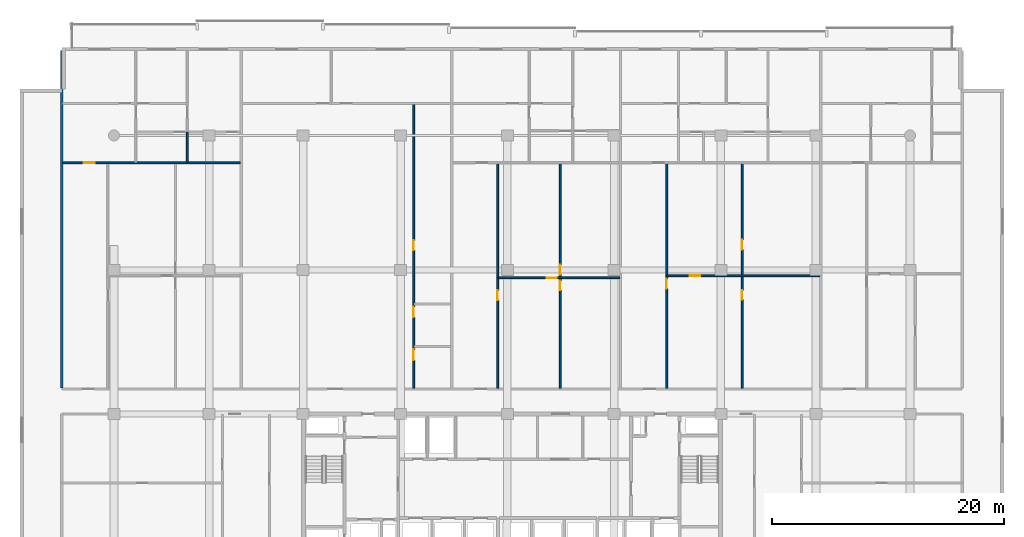
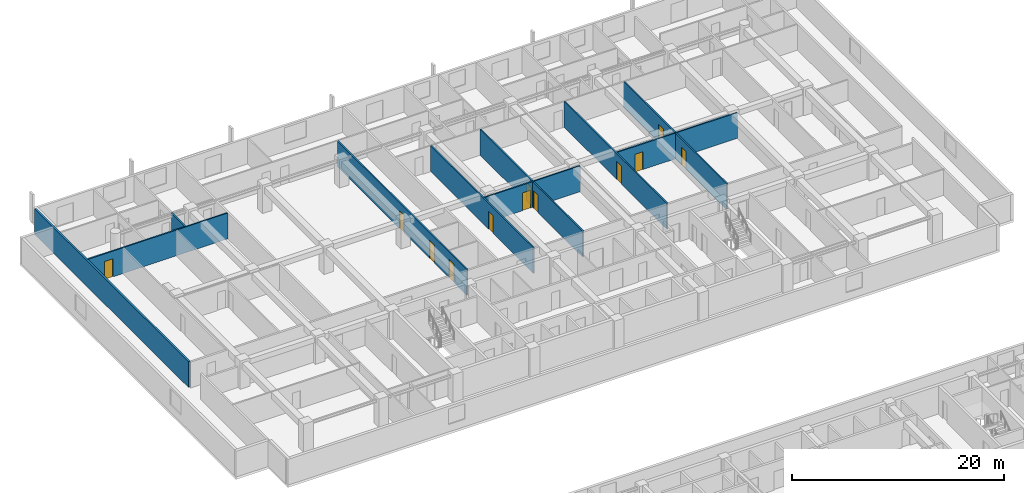
# One storey, part 13 of 23: 12 doors, 10 walls, 12 openings.
"""IFC4 building model written with IfcOpenShell, lengths in metres."""

from ifc_helpers import new_model, si_unit, direction, frame, frame_2d, origin, place, context, subcontext, project, spatial, rectangle, extrude, material, layer, layer_set, type_object, element, fill, save


model = new_model("IFC4")

# Units and contexts
model_context = context("Model", 3, precision=1e-05, world=origin(), true_north=direction((0.0, 1.0)))
body_context = subcontext(model_context, "Body", "Model", "MODEL_VIEW")
ifc_project = project(units=[si_unit("LENGTHUNIT", "METRE"), si_unit("AREAUNIT", "SQUARE_METRE"), si_unit("VOLUMEUNIT", "CUBIC_METRE"), si_unit("PLANEANGLEUNIT", "RADIAN"), si_unit("MASSUNIT", "GRAM", prefix="KILO")], contexts=[model_context])

# Site, building, storey
site_placement = place(None, origin())
site = spatial("IfcSite", under=ifc_project, at=site_placement, CompositionType="ELEMENT")
building_placement = place(site_placement, origin())
building = spatial("IfcBuilding", under=site, at=building_placement, Name="Korimba Cascade Residences", CompositionType="ELEMENT")
storey_placement = place(building_placement, frame((0.0, 0.0, 46.75)))
storey = spatial("IfcBuildingStorey", under=building, at=storey_placement, Name="L12", CompositionType="ELEMENT", Elevation=46.75)

# Walls
ifc_material_1 = material(Name="Precast concrete C40/50", Category="concrete")
ifc_layer_1 = layer(ifc_material_1, 0.199951171875)
ifc_layer_set_1 = layer_set([ifc_layer_1], Name="Precast concrete C40/50")
wall_type_1 = type_object("IfcWallType", Name="WAL-IT-200", PredefinedType="PARTITIONING", material=ifc_layer_set_1)
wall_1_placement = place(storey_placement, frame((55.300048828125, 69.429931640625, 0.0), z_axis=(0.0, 0.0, 1.0), x_axis=(0.0, 1.0, 0.0)))
element("IfcWall", 1, at=wall_1_placement, inside=storey, type_object=wall_type_1, Name="L12 Partition Wall WAL-L12-T1-BNDWL", PredefinedType="PARTITIONING", context=body_context, shape_type="SweptSolid", body=[
    extrude(rectangle(XDim=29.070068359375, YDim=0.199951171875, at=frame_2d((14.53515625, 0.0))), origin(), (0.0, 0.0, 1.0), 2.969970703125),
])
ifc_material_2 = material(Name="Insulated Acoustic Stud Partition", Category="gypsum")
ifc_layer_2 = layer(ifc_material_2, 0.14990234375)
ifc_layer_set_2 = layer_set([ifc_layer_2], Name="Insulated Acoustic Stud Partition")
wall_type_2 = type_object("IfcWallType", Name="WAL-PART-150", PredefinedType="PARTITIONING", material=ifc_layer_set_2)
wall_2_placement = place(storey_placement, frame((66.1201171875, 88.889892578125, 0.0), z_axis=(0.0, 0.0, 1.0), x_axis=(0.0, 1.0, 0.0)))
element("IfcWall", 2, at=wall_2_placement, inside=storey, type_object=wall_type_2, Name="L12 Partition Wall WAL-L12-T1-U01-VBATH", PredefinedType="PARTITIONING", context=body_context, shape_type="SweptSolid", body=[
    extrude(rectangle(XDim=2.580078125, YDim=0.14990234375, at=frame_2d((1.2900390625, 0.0))), origin(), (0.0, 0.0, 1.0), 2.969970703125),
])

# Wall, opening, door
wall_3_placement = place(storey_placement, frame((55.3798828125, 88.85009765625, 0.0), z_axis=(0.0, 0.0, 1.0), x_axis=(1.0, 0.0, 0.0)))
wall_3 = element("IfcWall", 3, at=wall_3_placement, inside=storey, type_object=wall_type_2, Name="L12 Partition Wall WAL-L12-T1-U01-MW", PredefinedType="PARTITIONING", context=body_context, shape_type="SweptSolid", body=[
    extrude(rectangle(XDim=15.29541015625, YDim=0.14990234375, at=frame_2d((7.647705078125, 0.0))), origin(), (0.0, 0.0, 1.0), 2.969970703125),
])
opening_1_placement = place(wall_3_placement, frame((1.830810546875, 0.0, 0.0)))
opening_1 = element("IfcOpeningElement", 4, at=opening_1_placement, cuts=wall_3, Name="Opening D-IN1", PredefinedType="OPENING", context=body_context, shape_type="SweptSolid", body=[
    extrude(rectangle(XDim=0.919921875, YDim=2.080078125, at=frame_2d((0.4599609375, 1.0400390625))), frame((0.0, 0.0849609375, 0.0), z_axis=(0.0, -1.0, 0.0), x_axis=(1.0, 0.0, 0.0)), (0.0, 0.0, 1.0), 0.169921875),
])
ifc_material_3 = material(Name="Acoustic Timber Living Door", Category="wood")
door_type_1 = type_object("IfcDoorType", Name="DR-INT-920", OperationType="NOTDEFINED", PredefinedType="DOOR", material=ifc_material_3)
door_1_placement = place(opening_1_placement, origin())
door_1 = element("IfcDoor", 5, at=door_1_placement, inside=storey, type_object=door_type_1, Name="L12-T1-U01 Kitchen Door", OperationType="SINGLE_SWING_RIGHT", OverallHeight=2.080078125, OverallWidth=0.919921875, PredefinedType="DOOR", context=body_context, shape_type="SweptSolid", body=[
    extrude(rectangle(XDim=0.919921875, YDim=2.080078125, at=frame_2d((0.4599609375, 1.0400390625))), frame((0.0, 0.02490234375, 0.0), z_axis=(0.0, -1.0, 0.0), x_axis=(1.0, 0.0, 0.0)), (0.0, 0.0, 1.0), 0.050048828125),
])
fill(opening_1, door_1)

# Wall, openings, doors
wall_4_placement = place(storey_placement, frame((85.624267578125, 69.409912109375, 0.0), z_axis=(0.0, 0.0, 1.0), x_axis=(0.0, 1.0, 0.0)))
wall_4 = element("IfcWall", 6, at=wall_4_placement, inside=storey, type_object=wall_type_2, Name="L12 Partition Wall WAL-L12-T1-U02-WCV", PredefinedType="PARTITIONING", context=body_context, shape_type="SweptSolid", body=[
    extrude(rectangle(XDim=24.47998046875, YDim=0.14990234375, at=frame_2d((12.239990234375, 0.0))), origin(), (0.0, 0.0, 1.0), 2.969970703125),
])
opening_2_placement = place(wall_4_placement, frame((2.406005859375, 0.0, 0.0)))
opening_2 = element("IfcOpeningElement", 7, at=opening_2_placement, cuts=wall_4, Name="Opening D-AC1", PredefinedType="OPENING", context=body_context, shape_type="SweptSolid", body=[
    extrude(rectangle(XDim=0.9599609375, YDim=2.10009765625, at=frame_2d((0.47998046875, 1.050048828125))), frame((0.0, 0.0849609375, 0.0), z_axis=(0.0, -1.0, 0.0), x_axis=(1.0, 0.0, 0.0)), (0.0, 0.0, 1.0), 0.169921875),
])
opening_3_placement = place(wall_4_placement, frame((6.132568359375, 0.0, 0.0)))
opening_3 = element("IfcOpeningElement", 8, at=opening_3_placement, cuts=wall_4, Name="Opening D-IN2", PredefinedType="OPENING", context=body_context, shape_type="SweptSolid", body=[
    extrude(rectangle(XDim=0.8798828125, YDim=2.06005859375, at=frame_2d((0.43994140625, 1.030029296875))), frame((0.0, 0.0849609375, 0.0), z_axis=(0.0, -1.0, 0.0), x_axis=(1.0, 0.0, 0.0)), (0.0, 0.0, 1.0), 0.169921875),
])
opening_4_placement = place(wall_4_placement, frame((11.91748046875, 0.0, 0.0)))
opening_4 = element("IfcOpeningElement", 9, at=opening_4_placement, cuts=wall_4, Name="Opening D-BT1", PredefinedType="OPENING", context=body_context, shape_type="SweptSolid", body=[
    extrude(rectangle(XDim=0.840087890625, YDim=2.0400390625, at=frame_2d((0.419921875, 1.02001953125))), frame((0.0, 0.0849609375, 0.0), z_axis=(0.0, -1.0, 0.0), x_axis=(1.0, 0.0, 0.0)), (0.0, 0.0, 1.0), 0.169921875),
])
ifc_material_4 = material(Name="Accessible Acoustic Timber WC Door", Category="wood")
door_type_2 = type_object("IfcDoorType", Name="DR-ACC-950", OperationType="NOTDEFINED", PredefinedType="DOOR", material=ifc_material_4)
door_2_placement = place(opening_2_placement, origin())
door_2 = element("IfcDoor", 10, at=door_2_placement, inside=storey, type_object=door_type_2, Name="L12-T1-U02 Accessible WC Door", OperationType="SINGLE_SWING_LEFT", OverallHeight=2.10009765625, OverallWidth=0.9599609375, PredefinedType="DOOR", context=body_context, shape_type="SweptSolid", body=[
    extrude(rectangle(XDim=0.9599609375, YDim=2.10009765625, at=frame_2d((0.47998046875, 1.050048828125))), frame((0.0, 0.02490234375, 0.0), z_axis=(0.0, -1.0, 0.0), x_axis=(1.0, 0.0, 0.0)), (0.0, 0.0, 1.0), 0.050048828125),
])
fill(opening_2, door_2)
ifc_material_5 = material(Name="Moisture-Resistant Bathroom Timber Door", Category="wood")
door_type_3 = type_object("IfcDoorType", Name="DR-INT-850", OperationType="NOTDEFINED", PredefinedType="DOOR", material=ifc_material_5)
door_3_placement = place(opening_4_placement, origin())
door_3 = element("IfcDoor", 11, at=door_3_placement, inside=storey, type_object=door_type_3, Name="L12-T1-U02 Suite Store Door", OperationType="SINGLE_SWING_LEFT", OverallHeight=2.0400390625, OverallWidth=0.840087890625, PredefinedType="DOOR", context=body_context, shape_type="SweptSolid", body=[
    extrude(rectangle(XDim=0.840087890625, YDim=2.0400390625, at=frame_2d((0.419921875, 1.02001953125))), frame((0.0, 0.02490234375, 0.0), z_axis=(0.0, -1.0, 0.0), x_axis=(1.0, 0.0, 0.0)), (0.0, 0.0, 1.0), 0.050048828125),
])
fill(opening_4, door_3)
ifc_material_6 = material(Name="Acoustic Timber Bedroom Door", Category="wood")
door_type_4 = type_object("IfcDoorType", Name="DR-INT-880", OperationType="NOTDEFINED", PredefinedType="DOOR", material=ifc_material_6)
door_4_placement = place(opening_3_placement, origin())
door_4 = element("IfcDoor", 12, at=door_4_placement, inside=storey, type_object=door_type_4, Name="L12-T1-U02 Restroom WC Door", OperationType="SINGLE_SWING_RIGHT", OverallHeight=2.06005859375, OverallWidth=0.8798828125, PredefinedType="DOOR", context=body_context, shape_type="SweptSolid", body=[
    extrude(rectangle(XDim=0.8798828125, YDim=2.06005859375, at=frame_2d((0.43994140625, 1.030029296875))), frame((0.0, 0.02490234375, 0.0), z_axis=(0.0, -1.0, 0.0), x_axis=(1.0, 0.0, 0.0)), (0.0, 0.0, 1.0), 0.050048828125),
])
fill(opening_3, door_4)

wall_5_placement = place(storey_placement, frame((98.2509765625, 69.409912109375, 0.0), z_axis=(0.0, 0.0, 1.0), x_axis=(0.0, 1.0, 0.0)))
wall_5 = element("IfcWall", 13, at=wall_5_placement, inside=storey, type_object=wall_type_2, Name="L12 Partition Wall WAL-L12-T1-U03-FMV", PredefinedType="PARTITIONING", context=body_context, shape_type="SweptSolid", body=[
    extrude(rectangle(XDim=19.400146484375, YDim=0.14990234375, at=frame_2d((9.7001953125, 0.0))), origin(), (0.0, 0.0, 1.0), 2.969970703125),
])
opening_5_placement = place(wall_5_placement, frame((8.429931640625, 0.0, 0.0)))
opening_5 = element("IfcOpeningElement", 14, at=opening_5_placement, cuts=wall_5, Name="Opening D-BT1", PredefinedType="OPENING", context=body_context, shape_type="SweptSolid", body=[
    extrude(rectangle(XDim=0.840087890625, YDim=2.0400390625, at=frame_2d((0.419921875, 1.02001953125))), frame((0.0, 0.0849609375, 0.0), z_axis=(0.0, -1.0, 0.0), x_axis=(1.0, 0.0, 0.0)), (0.0, 0.0, 1.0), 0.169921875),
])
opening_6_placement = place(wall_5_placement, frame((9.77001953125, 0.0, 0.0)))
opening_6 = element("IfcOpeningElement", 15, at=opening_6_placement, cuts=wall_5, Name="Opening D-IN2", PredefinedType="OPENING", context=body_context, shape_type="SweptSolid", body=[
    extrude(rectangle(XDim=0.8798828125, YDim=2.06005859375, at=frame_2d((0.43994140625, 1.030029296875))), frame((0.0, 0.0849609375, 0.0), z_axis=(0.0, -1.0, 0.0), x_axis=(1.0, 0.0, 0.0)), (0.0, 0.0, 1.0), 0.169921875),
])
door_5_placement = place(opening_5_placement, origin())
door_5 = element("IfcDoor", 16, at=door_5_placement, inside=storey, type_object=door_type_3, Name="L12-T1-U03 Wardrobe Door", OperationType="SINGLE_SWING_RIGHT", OverallHeight=2.0400390625, OverallWidth=0.840087890625, PredefinedType="DOOR", context=body_context, shape_type="SweptSolid", body=[
    extrude(rectangle(XDim=0.840087890625, YDim=2.0400390625, at=frame_2d((0.419921875, 1.02001953125))), frame((0.0, 0.02490234375, 0.0), z_axis=(0.0, -1.0, 0.0), x_axis=(1.0, 0.0, 0.0)), (0.0, 0.0, 1.0), 0.050048828125),
])
fill(opening_5, door_5)
door_6_placement = place(opening_6_placement, origin())
door_6 = element("IfcDoor", 17, at=door_6_placement, inside=storey, type_object=door_type_4, Name="L12-T1-U03 Music Lounge Door", OperationType="SINGLE_SWING_LEFT", OverallHeight=2.06005859375, OverallWidth=0.8798828125, PredefinedType="DOOR", context=body_context, shape_type="SweptSolid", body=[
    extrude(rectangle(XDim=0.8798828125, YDim=2.06005859375, at=frame_2d((0.43994140625, 1.030029296875))), frame((0.0, 0.02490234375, 0.0), z_axis=(0.0, -1.0, 0.0), x_axis=(1.0, 0.0, 0.0)), (0.0, 0.0, 1.0), 0.050048828125),
])
fill(opening_6, door_6)

# Wall, opening, door
wall_6_placement = place(storey_placement, frame((92.92431640625, 78.929931640625, 0.0), z_axis=(0.0, 0.0, 1.0), x_axis=(1.0, 0.0, 0.0)))
wall_6 = element("IfcWall", 18, at=wall_6_placement, inside=storey, type_object=wall_type_2, Name="L12 Partition Wall WAL-L12-T1-U03-FMH", PredefinedType="PARTITIONING", context=body_context, shape_type="SweptSolid", body=[
    extrude(rectangle(XDim=10.453125, YDim=0.14990234375, at=frame_2d((5.2265625, 0.0))), origin(), (0.0, 0.0, 1.0), 2.969970703125),
])
opening_7_placement = place(wall_6_placement, frame((4.149169921875, 0.0, 0.0)))
opening_7 = element("IfcOpeningElement", 19, at=opening_7_placement, cuts=wall_6, Name="Opening D-IN2", PredefinedType="OPENING", context=body_context, shape_type="SweptSolid", body=[
    extrude(rectangle(XDim=0.8798828125, YDim=2.06005859375, at=frame_2d((0.43994140625, 1.030029296875))), frame((0.0, 0.0849609375, 0.0), z_axis=(0.0, -1.0, 0.0), x_axis=(1.0, 0.0, 0.0)), (0.0, 0.0, 1.0), 0.169921875),
])
door_7_placement = place(opening_7_placement, origin())
door_7 = element("IfcDoor", 20, at=door_7_placement, inside=storey, type_object=door_type_4, Name="L12-T1-U03 Library Salon Door", OperationType="SINGLE_SWING_RIGHT", OverallHeight=2.06005859375, OverallWidth=0.8798828125, PredefinedType="DOOR", context=body_context, shape_type="SweptSolid", body=[
    extrude(rectangle(XDim=0.8798828125, YDim=2.06005859375, at=frame_2d((0.43994140625, 1.030029296875))), frame((0.0, 0.02490234375, 0.0), z_axis=(0.0, -1.0, 0.0), x_axis=(1.0, 0.0, 0.0)), (0.0, 0.0, 1.0), 0.050048828125),
])
fill(opening_7, door_7)

wall_7_placement = place(storey_placement, frame((92.8642578125, 69.409912109375, 0.0), z_axis=(0.0, 0.0, 1.0), x_axis=(0.0, 1.0, 0.0)))
wall_7 = element("IfcWall", 21, at=wall_7_placement, inside=storey, type_object=wall_type_2, Name="L12 Partition Wall WAL-L12-T1-U03-FV", PredefinedType="PARTITIONING", context=body_context, shape_type="SweptSolid", body=[
    extrude(rectangle(XDim=19.400146484375, YDim=0.14990234375, at=frame_2d((9.7001953125, 0.0))), origin(), (0.0, 0.0, 1.0), 2.969970703125),
])
opening_8_placement = place(wall_7_placement, frame((7.5859375, 0.0, 0.0)))
opening_8 = element("IfcOpeningElement", 22, at=opening_8_placement, cuts=wall_7, Name="Opening D-IN2", PredefinedType="OPENING", context=body_context, shape_type="SweptSolid", body=[
    extrude(rectangle(XDim=0.8798828125, YDim=2.06005859375, at=frame_2d((0.43994140625, 1.030029296875))), frame((0.0, 0.0849609375, 0.0), z_axis=(0.0, -1.0, 0.0), x_axis=(1.0, 0.0, 0.0)), (0.0, 0.0, 1.0), 0.169921875),
])
door_8_placement = place(opening_8_placement, origin())
door_8 = element("IfcDoor", 23, at=door_8_placement, inside=storey, type_object=door_type_4, Name="L12-T1-U03 Media Lounge Door", OperationType="SINGLE_SWING_LEFT", OverallHeight=2.06005859375, OverallWidth=0.8798828125, PredefinedType="DOOR", context=body_context, shape_type="SweptSolid", body=[
    extrude(rectangle(XDim=0.8798828125, YDim=2.06005859375, at=frame_2d((0.43994140625, 1.030029296875))), frame((0.0, 0.02490234375, 0.0), z_axis=(0.0, -1.0, 0.0), x_axis=(1.0, 0.0, 0.0)), (0.0, 0.0, 1.0), 0.050048828125),
])
fill(opening_8, door_8)

# Wall, openings, doors
wall_8_placement = place(storey_placement, frame((113.93603515625, 69.409912109375, 0.0), z_axis=(0.0, 0.0, 1.0), x_axis=(0.0, 1.0, 0.0)))
wall_8 = element("IfcWall", 24, at=wall_8_placement, inside=storey, type_object=wall_type_2, Name="L12 Partition Wall WAL-L12-T1-U04-FMV", PredefinedType="PARTITIONING", context=body_context, shape_type="SweptSolid", body=[
    extrude(rectangle(XDim=19.400146484375, YDim=0.14990234375, at=frame_2d((9.7001953125, 0.0))), origin(), (0.0, 0.0, 1.0), 2.969970703125),
])
opening_9_placement = place(wall_8_placement, frame((7.618896484375, 0.0, 0.0)))
opening_9 = element("IfcOpeningElement", 25, at=opening_9_placement, cuts=wall_8, Name="Opening D-BT1", PredefinedType="OPENING", context=body_context, shape_type="SweptSolid", body=[
    extrude(rectangle(XDim=0.840087890625, YDim=2.0400390625, at=frame_2d((0.419921875, 1.02001953125))), frame((0.0, 0.0849609375, 0.0), z_axis=(0.0, -1.0, 0.0), x_axis=(1.0, 0.0, 0.0)), (0.0, 0.0, 1.0), 0.169921875),
])
opening_10_placement = place(wall_8_placement, frame((11.9228515625, 0.0, 0.0)))
opening_10 = element("IfcOpeningElement", 26, at=opening_10_placement, cuts=wall_8, Name="Opening D-IN2", PredefinedType="OPENING", context=body_context, shape_type="SweptSolid", body=[
    extrude(rectangle(XDim=0.8798828125, YDim=2.06005859375, at=frame_2d((0.43994140625, 1.030029296875))), frame((0.0, 0.0849609375, 0.0), z_axis=(0.0, -1.0, 0.0), x_axis=(1.0, 0.0, 0.0)), (0.0, 0.0, 1.0), 0.169921875),
])
door_9_placement = place(opening_9_placement, origin())
door_9 = element("IfcDoor", 27, at=door_9_placement, inside=storey, type_object=door_type_3, Name="L12-T1-U04 Wardrobe Door", OperationType="SINGLE_SWING_LEFT", OverallHeight=2.0400390625, OverallWidth=0.840087890625, PredefinedType="DOOR", context=body_context, shape_type="SweptSolid", body=[
    extrude(rectangle(XDim=0.840087890625, YDim=2.0400390625, at=frame_2d((0.419921875, 1.02001953125))), frame((0.0, 0.02490234375, 0.0), z_axis=(0.0, -1.0, 0.0), x_axis=(1.0, 0.0, 0.0)), (0.0, 0.0, 1.0), 0.050048828125),
])
fill(opening_9, door_9)
door_10_placement = place(opening_10_placement, origin())
door_10 = element("IfcDoor", 28, at=door_10_placement, inside=storey, type_object=door_type_4, Name="L12-T1-U04 Music Lounge Door", OperationType="SINGLE_SWING_RIGHT", OverallHeight=2.06005859375, OverallWidth=0.8798828125, PredefinedType="DOOR", context=body_context, shape_type="SweptSolid", body=[
    extrude(rectangle(XDim=0.8798828125, YDim=2.06005859375, at=frame_2d((0.43994140625, 1.030029296875))), frame((0.0, 0.02490234375, 0.0), z_axis=(0.0, -1.0, 0.0), x_axis=(1.0, 0.0, 0.0)), (0.0, 0.0, 1.0), 0.050048828125),
])
fill(opening_10, door_10)

# Wall, opening, door
wall_9_placement = place(storey_placement, frame((107.487548828125, 79.110107421875, 0.0), z_axis=(0.0, 0.0, 1.0), x_axis=(1.0, 0.0, 0.0)))
wall_9 = element("IfcWall", 29, at=wall_9_placement, inside=storey, type_object=wall_type_2, Name="L12 Partition Wall WAL-L12-T1-U04-FMH", PredefinedType="PARTITIONING", context=body_context, shape_type="SweptSolid", body=[
    extrude(rectangle(XDim=13.136962890625, YDim=0.14990234375, at=frame_2d((6.568359375, 0.0))), origin(), (0.0, 0.0, 1.0), 2.969970703125),
])
opening_11_placement = place(wall_9_placement, frame((1.949462890625, 0.0, 0.0)))
opening_11 = element("IfcOpeningElement", 30, at=opening_11_placement, cuts=wall_9, Name="Opening D-IN2", PredefinedType="OPENING", context=body_context, shape_type="SweptSolid", body=[
    extrude(rectangle(XDim=0.8798828125, YDim=2.06005859375, at=frame_2d((0.43994140625, 1.030029296875))), frame((0.0, 0.0849609375, 0.0), z_axis=(0.0, -1.0, 0.0), x_axis=(1.0, 0.0, 0.0)), (0.0, 0.0, 1.0), 0.169921875),
])
door_11_placement = place(opening_11_placement, origin())
door_11 = element("IfcDoor", 31, at=door_11_placement, inside=storey, type_object=door_type_4, Name="L12-T1-U04 Library Salon Door", OperationType="SINGLE_SWING_LEFT", OverallHeight=2.06005859375, OverallWidth=0.8798828125, PredefinedType="DOOR", context=body_context, shape_type="SweptSolid", body=[
    extrude(rectangle(XDim=0.8798828125, YDim=2.06005859375, at=frame_2d((0.43994140625, 1.030029296875))), frame((0.0, 0.02490234375, 0.0), z_axis=(0.0, -1.0, 0.0), x_axis=(1.0, 0.0, 0.0)), (0.0, 0.0, 1.0), 0.050048828125),
])
fill(opening_11, door_11)

wall_10_placement = place(storey_placement, frame((107.427490234375, 69.409912109375, 0.0), z_axis=(0.0, 0.0, 1.0), x_axis=(0.0, 1.0, 0.0)))
wall_10 = element("IfcWall", 32, at=wall_10_placement, inside=storey, type_object=wall_type_2, Name="L12 Partition Wall WAL-L12-T1-U04-FV", PredefinedType="PARTITIONING", context=body_context, shape_type="SweptSolid", body=[
    extrude(rectangle(XDim=19.400146484375, YDim=0.14990234375, at=frame_2d((9.7001953125, 0.0))), origin(), (0.0, 0.0, 1.0), 2.969970703125),
])
opening_12_placement = place(wall_10_placement, frame((8.570068359375, 0.0, 0.0)))
opening_12 = element("IfcOpeningElement", 33, at=opening_12_placement, cuts=wall_10, Name="Opening D-IN2", PredefinedType="OPENING", context=body_context, shape_type="SweptSolid", body=[
    extrude(rectangle(XDim=0.8798828125, YDim=2.06005859375, at=frame_2d((0.43994140625, 1.030029296875))), frame((0.0, 0.0849609375, 0.0), z_axis=(0.0, -1.0, 0.0), x_axis=(1.0, 0.0, 0.0)), (0.0, 0.0, 1.0), 0.169921875),
])
door_12_placement = place(opening_12_placement, origin())
door_12 = element("IfcDoor", 34, at=door_12_placement, inside=storey, type_object=door_type_4, Name="L12-T1-U04 Media Lounge Door", OperationType="SINGLE_SWING_RIGHT", OverallHeight=2.06005859375, OverallWidth=0.8798828125, PredefinedType="DOOR", context=body_context, shape_type="SweptSolid", body=[
    extrude(rectangle(XDim=0.8798828125, YDim=2.06005859375, at=frame_2d((0.43994140625, 1.030029296875))), frame((0.0, 0.02490234375, 0.0), z_axis=(0.0, -1.0, 0.0), x_axis=(1.0, 0.0, 0.0)), (0.0, 0.0, 1.0), 0.050048828125),
])
fill(opening_12, door_12)

save(model, "model.ifc")
